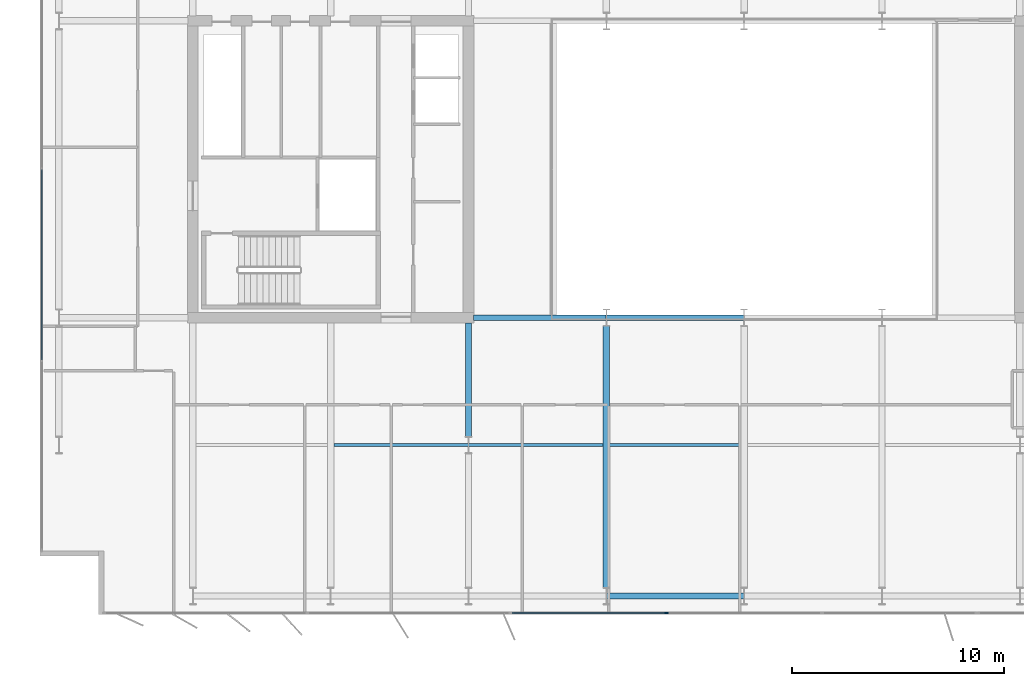
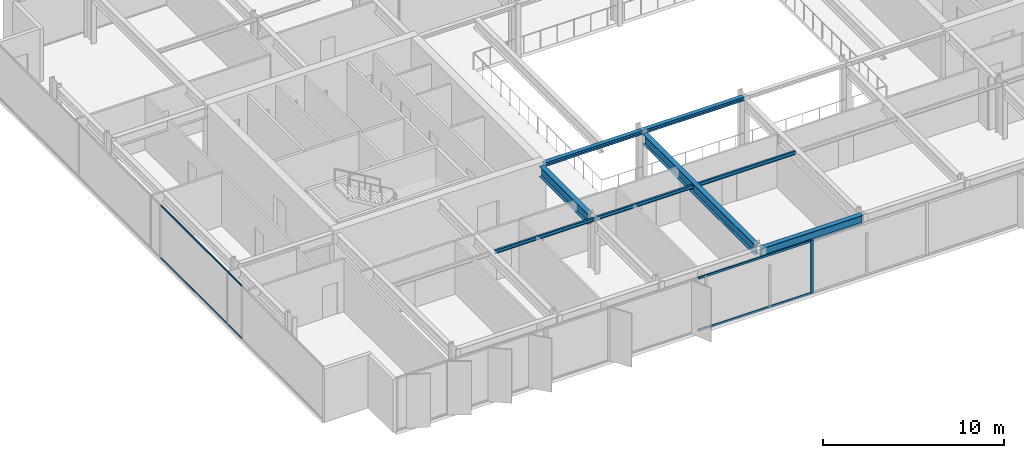
# One storey, part 4 of 23: 8 beams, 5 members, 2 elements without a shape of their own.
"""IFC4 building model written with IfcOpenShell, lengths in metres."""

from ifc_helpers import new_model, si_unit, direction, frame, origin, origin_2d, place, context, subcontext, project, spatial, rectangle, i_section, extrude, material, layer, layer_set, material_profile, profile_set, type_object, element, aggregate, save


model = new_model("IFC4")

# Units and contexts
model_context = context("Model", 3, precision=1e-05, world=origin(), true_north=direction((0.0, 1.0)))
body_context = subcontext(model_context, "Body", "Model", "MODEL_VIEW")
ifc_project = project(units=[si_unit("LENGTHUNIT", "METRE"), si_unit("AREAUNIT", "SQUARE_METRE"), si_unit("VOLUMEUNIT", "CUBIC_METRE"), si_unit("PLANEANGLEUNIT", "RADIAN"), si_unit("MASSUNIT", "GRAM", prefix="KILO")], contexts=[model_context])

# Site, building, storey
site_placement = place(None, origin())
site = spatial("IfcSite", under=ifc_project, at=site_placement, CompositionType="ELEMENT")
building_placement = place(site_placement, origin())
building = spatial("IfcBuilding", under=site, at=building_placement, Name="Putna Gate Headquarters", CompositionType="ELEMENT")
storey_placement = place(building_placement, frame((0.0, 0.0, 217.60009765625)))
storey = spatial("IfcBuildingStorey", under=building, at=storey_placement, Name="L54", CompositionType="ELEMENT", Elevation=217.60009765625)

# Beams
ifc_material_1 = material(Name="Steel S355J2", Category="steel")
ifc_material_profile_1 = material_profile(ifc_material_1, i_section(OverallWidth=0.260009765625, OverallDepth=0.260009765625, WebThickness=0.010009765625, FlangeThickness=0.017578125, at=origin_2d()), Name="Steel S355J2")
ifc_profile_set_1 = profile_set([ifc_material_profile_1], Name="Steel S355J2")
beam_type_1 = type_object("IfcBeamType", Name="BM-ATRIUM-HEB260", PredefinedType="BEAM", material=ifc_profile_set_1)
beam_1_placement = place(storey_placement, frame((26.235107421875, 19.0, 3.449951171875), z_axis=(1.0, 0.0, 0.0), x_axis=(0.0, 1.0, 0.0)))
element("IfcBeam", 1, at=beam_1_placement, inside=storey, type_object=beam_type_1, Name="L54 Atrium Edge Beam AS1", PredefinedType="BEAM", context=body_context, shape_type="SweptSolid", body=[
    extrude(i_section(OverallWidth=0.260009765625, OverallDepth=0.260009765625, WebThickness=0.010009765625, FlangeThickness=0.017578125, at=origin_2d()), origin(), (0.0, 0.0, 1.0), 6.2587890625),
])
beam_2_placement = place(storey_placement, frame((32.506103515625, 19.0, 3.449951171875), z_axis=(1.0, 0.0, 0.0), x_axis=(0.0, 1.0, 0.0)))
element("IfcBeam", 2, at=beam_2_placement, inside=storey, type_object=beam_type_1, Name="L54 Atrium Edge Beam AS2", PredefinedType="BEAM", context=body_context, shape_type="SweptSolid", body=[
    extrude(i_section(OverallWidth=0.260009765625, OverallDepth=0.260009765625, WebThickness=0.010009765625, FlangeThickness=0.017578125, at=origin_2d()), origin(), (0.0, 0.0, 1.0), 6.48779296875),
])
ifc_material_profile_2 = material_profile(ifc_material_1, i_section(OverallWidth=0.300048828125, OverallDepth=0.699951171875, WebThickness=0.01708984375, FlangeThickness=0.031982421875, at=origin_2d()), Name="Steel S355J2")
ifc_profile_set_2 = profile_set([ifc_material_profile_2], Name="Steel S355J2")
beam_type_2 = type_object("IfcBeamType", Name="BM-GIRD-B-HEB700", PredefinedType="USERDEFINED", material=ifc_profile_set_2)
beam_3_placement = place(storey_placement, frame((26.0, 13.39501953125, 3.22998046875), z_axis=(0.0, 1.0, 0.0), x_axis=(-1.0, 0.0, 0.0)))
element("IfcBeam", 3, at=beam_3_placement, inside=storey, type_object=beam_type_2, Name="L54 South Primary Girder X26-2", ObjectType="GIRDER", PredefinedType="USERDEFINED", context=body_context, shape_type="SweptSolid", body=[
    extrude(i_section(OverallWidth=0.300048828125, OverallDepth=0.699951171875, WebThickness=0.01708984375, FlangeThickness=0.031982421875, at=origin_2d()), origin(), (0.0, 0.0, 1.0), 5.369873046875),
])
beam_4_placement = place(storey_placement, frame((32.5, 6.27490234375, 3.22998046875), z_axis=(0.0, 1.0, 0.0), x_axis=(-1.0, 0.0, 0.0)))
element("IfcBeam", 4, at=beam_4_placement, inside=storey, type_object=beam_type_2, Name="L54 South Primary Girder X32", ObjectType="GIRDER", PredefinedType="USERDEFINED", context=body_context, shape_type="SweptSolid", body=[
    extrude(i_section(OverallWidth=0.300048828125, OverallDepth=0.699951171875, WebThickness=0.01708984375, FlangeThickness=0.031982421875, at=origin_2d()), origin(), (0.0, 0.0, 1.0), 12.330078125),
])
ifc_material_profile_3 = material_profile(ifc_material_1, i_section(OverallWidth=0.1201171875, OverallDepth=0.239990234375, WebThickness=0.006103515625, FlangeThickness=0.009765625, at=origin_2d()), Name="Steel S355J2")
ifc_profile_set_3 = profile_set([ifc_material_profile_3], Name="Steel S355J2")
beam_type_3 = type_object("IfcBeamType", Name="BM-SEC-Z4-IPE240", PredefinedType="JOIST", material=ifc_profile_set_3)
for number, where, z_axis, x_axis, name in (
    (5, (19.654052734375, 13.0, 3.4599609375), (1.0, 0.0, 0.0), (0.0, 1.0, 0.0), "L54 South Secondary Beam 2"),
    (6, (26.006103515625, 13.0, 3.4599609375), (1.0, 0.0, 0.0), (0.0, 1.0, 0.0), "L54 South Secondary Beam 3"),
):
    element("IfcBeam", number, at=place(storey_placement, frame(where, z_axis=z_axis, x_axis=x_axis)), inside=storey, type_object=beam_type_3, Name=name, PredefinedType="JOIST", context=body_context, shape_type="SweptSolid", body=[
        extrude(i_section(OverallWidth=0.1201171875, OverallDepth=0.239990234375, WebThickness=0.006103515625, FlangeThickness=0.009765625, at=origin_2d()), origin(), (0.0, 0.0, 1.0), 6.33984375),
    ])
beam_5_placement = place(storey_placement, frame((32.654052734375, 13.0, 3.4599609375), z_axis=(1.0, 0.0, 0.0), x_axis=(0.0, 1.0, 0.0)))
element("IfcBeam", 7, at=beam_5_placement, inside=storey, type_object=beam_type_3, Name="L54 South Secondary Beam 4", PredefinedType="JOIST", context=body_context, shape_type="SweptSolid", body=[
    extrude(i_section(OverallWidth=0.1201171875, OverallDepth=0.239990234375, WebThickness=0.006103515625, FlangeThickness=0.009765625, at=origin_2d()), origin(), (0.0, 0.0, 1.0), 6.19189453125),
])
ifc_material_profile_4 = material_profile(ifc_material_1, i_section(OverallWidth=0.300048828125, OverallDepth=0.590087890625, WebThickness=0.012939453125, FlangeThickness=0.02490234375, at=origin_2d()), Name="Steel S355J2")
ifc_profile_set_4 = profile_set([ifc_material_profile_4], Name="Steel S355J2")
beam_type_4 = type_object("IfcBeamType", Name="BM-SPAN-Z4-HEA600", PredefinedType="SPANDREL", material=ifc_profile_set_4)
beam_6_placement = place(storey_placement, frame((32.506103515625, 5.8798828125, 3.284912109375), z_axis=(1.0, 0.0, 0.0), x_axis=(0.0, 1.0, 0.0)))
element("IfcBeam", 8, at=beam_6_placement, inside=storey, type_object=beam_type_4, Name="L54 S Perimeter Spandrel 4", PredefinedType="SPANDREL", context=body_context, shape_type="SweptSolid", body=[
    extrude(i_section(OverallWidth=0.300048828125, OverallDepth=0.590087890625, WebThickness=0.012939453125, FlangeThickness=0.02490234375, at=origin_2d()), origin(), (0.0, 0.0, 1.0), 6.48779296875),
])

# Curtain wall, member
ifc_material_2 = material(Name="Anodised bronze aluminium curtain wall", Category="aluminium")
ifc_layer_1 = layer(ifc_material_2, 0.179931640625)
ifc_layer_set_1 = layer_set([ifc_layer_1], Name="Anodised bronze aluminium curtain wall")
curtain_wall_type_1 = type_object("IfcCurtainWallType", Name="CW-SYS-ATR", PredefinedType="USERDEFINED", material=ifc_layer_set_1)
curtain_wall_1_placement = place(storey_placement, origin())
curtain_wall_1 = element("IfcCurtainWall", 9, at=curtain_wall_1_placement, inside=storey, type_object=curtain_wall_type_1, Name="L54 South Atrium Clear Glazing", ObjectType="ATRIUM GLAZING", PredefinedType="USERDEFINED")
ifc_material_3 = material(Name="Anodised bronze aluminium EN AW-6060", Category="aluminium")
ifc_material_profile_5 = material_profile(ifc_material_3, rectangle(XDim=0.070068359375, YDim=0.179931640625, at=origin_2d()), Name="Anodised bronze aluminium EN AW-6060")
ifc_profile_set_5 = profile_set([ifc_material_profile_5], Name="Anodised bronze aluminium EN AW-6060")
member_type_1 = type_object("IfcMemberType", Name="MULL-CWM-AT", PredefinedType="MULLION", material=ifc_profile_set_5)
member_1_placement = place(storey_placement, frame((35.333251953125, 5.080078125, 0.0), z_axis=(0.0, 0.0, 1.0), x_axis=(0.0, 1.0, 0.0)))
member_1 = element("IfcMember", 10, at=member_1_placement, type_object=member_type_1, Name="CWS-AT mullion 2", PredefinedType="MULLION", context=body_context, shape_type="SweptSolid", body=[
    extrude(rectangle(XDim=0.070068359375, YDim=0.179931640625, at=origin_2d()), origin(), (0.0, 0.0, 1.0), 3.579833984375),
])

# Curtain wall, members
ifc_layer_2 = layer(ifc_material_2, 0.139892578125)
ifc_layer_set_2 = layer_set([ifc_layer_2], Name="Anodised bronze aluminium curtain wall")
curtain_wall_type_2 = type_object("IfcCurtainWallType", Name="CW-SYS-Z4", PredefinedType="USERDEFINED", material=ifc_layer_set_2)
curtain_wall_2_placement = place(storey_placement, origin())
curtain_wall_2 = element("IfcCurtainWall", 11, at=curtain_wall_2_placement, inside=storey, type_object=curtain_wall_type_2, Name="L54 West Curtain Wall", ObjectType="STICK CURTAIN WALL", PredefinedType="USERDEFINED")
ifc_material_profile_6 = material_profile(ifc_material_3, rectangle(XDim=0.06005859375, YDim=0.10009765625, at=origin_2d()), Name="Anodised bronze aluminium EN AW-6060")
ifc_profile_set_6 = profile_set([ifc_material_profile_6], Name="Anodised bronze aluminium EN AW-6060")
member_type_2 = type_object("IfcMemberType", Name="TRAN-CWT-4", PredefinedType="USERDEFINED", material=ifc_profile_set_6)
member_2_placement = place(storey_placement, frame((5.8798828125, 17.030029296875, 0.02978515625), z_axis=(0.0, 1.0, 0.0), x_axis=(-1.0, 0.0, 0.0)))
member_2 = element("IfcMember", 12, at=member_2_placement, type_object=member_type_2, Name="CWS-4 transom 2.1", ObjectType="TRANSOM", PredefinedType="USERDEFINED", context=body_context, shape_type="SweptSolid", body=[
    extrude(rectangle(XDim=0.06005859375, YDim=0.10009765625, at=origin_2d()), origin(), (0.0, 0.0, 1.0), 8.93994140625),
])
member_3_placement = place(storey_placement, frame((5.8798828125, 17.030029296875, 3.5498046875), z_axis=(0.0, 1.0, 0.0), x_axis=(-1.0, 0.0, 0.0)))
member_3 = element("IfcMember", 13, at=member_3_placement, type_object=member_type_2, Name="CWS-4 transom 2.2", ObjectType="TRANSOM", PredefinedType="USERDEFINED", context=body_context, shape_type="SweptSolid", body=[
    extrude(rectangle(XDim=0.06005859375, YDim=0.10009765625, at=origin_2d()), origin(), (0.0, 0.0, 1.0), 8.93994140625),
])
aggregate(curtain_wall_2, [member_2, member_3])

# Member
ifc_material_profile_7 = material_profile(ifc_material_3, rectangle(XDim=0.070068359375, YDim=0.139892578125, at=origin_2d()), Name="Anodised bronze aluminium EN AW-6060")
ifc_profile_set_7 = profile_set([ifc_material_profile_7], Name="Anodised bronze aluminium EN AW-6060")
member_type_3 = type_object("IfcMemberType", Name="TRAN-CWT-AT", PredefinedType="USERDEFINED", material=ifc_profile_set_7)
member_4_placement = place(storey_placement, frame((28.070068359375, 5.080078125, 0.034912109375), z_axis=(1.0, 0.0, 0.0), x_axis=(0.0, 1.0, 0.0)))
member_4 = element("IfcMember", 14, at=member_4_placement, type_object=member_type_3, Name="CWS-AT transom 1.1", ObjectType="TRANSOM", PredefinedType="USERDEFINED", context=body_context, shape_type="SweptSolid", body=[
    extrude(rectangle(XDim=0.070068359375, YDim=0.139892578125, at=origin_2d()), origin(), (0.0, 0.0, 1.0), 7.228271484375),
])

member_5_placement = place(storey_placement, frame((28.070068359375, 5.080078125, 3.544921875), z_axis=(1.0, 0.0, 0.0), x_axis=(0.0, 1.0, 0.0)))
member_5 = element("IfcMember", 15, at=member_5_placement, type_object=member_type_3, Name="CWS-AT transom 1.2", ObjectType="TRANSOM", PredefinedType="USERDEFINED", context=body_context, shape_type="SweptSolid", body=[
    extrude(rectangle(XDim=0.070068359375, YDim=0.139892578125, at=origin_2d()), origin(), (0.0, 0.0, 1.0), 7.228271484375),
])

aggregate(curtain_wall_1, [member_1, member_4, member_5])

save(model, "model.ifc")
